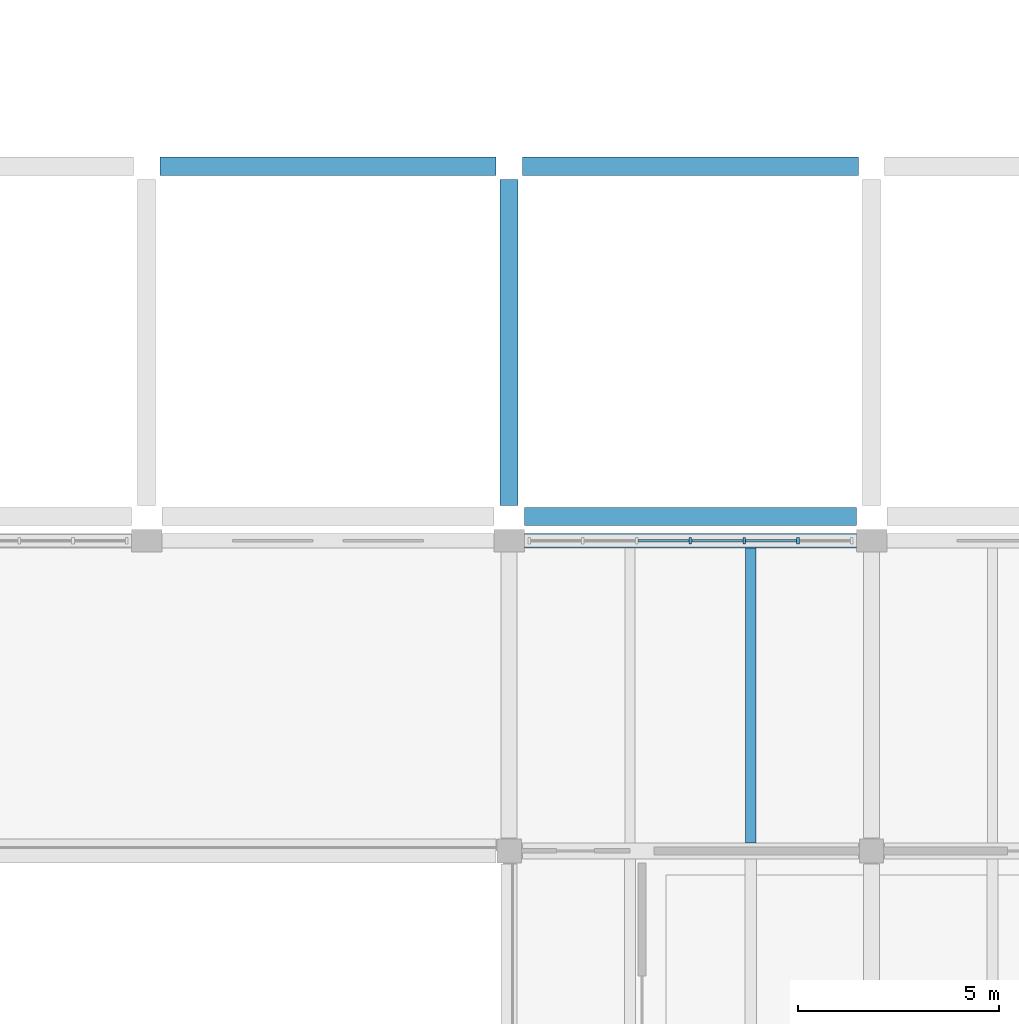
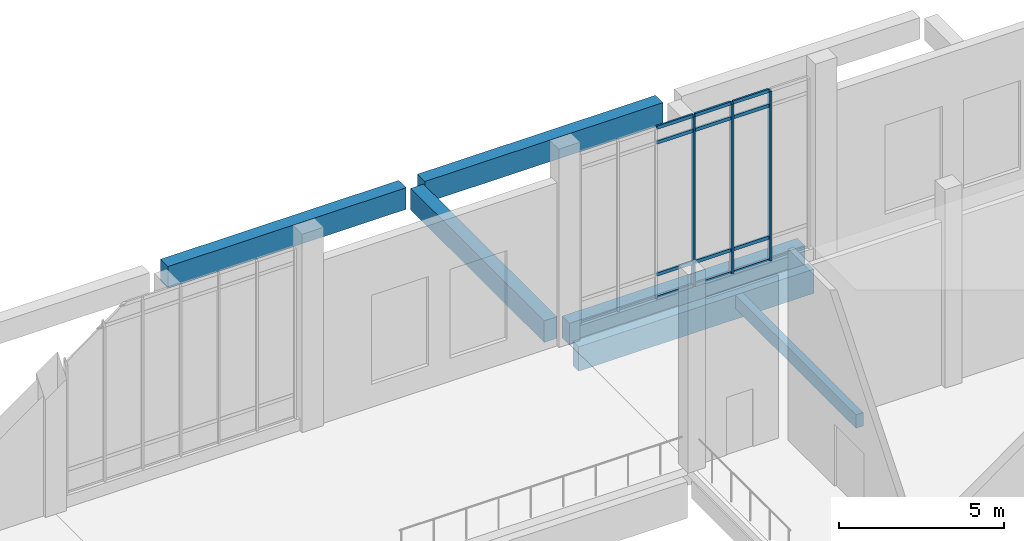
# One storey, part 20 of 110: 15 members, 6 beams, 1 element without a shape of its own.
"""IFC4 building model written with IfcOpenShell, lengths in metres."""

from ifc_helpers import new_model, si_unit, direction, frame, origin, origin_2d, place, context, subcontext, project, spatial, rectangle, extrude, material, layer, layer_set, material_profile, profile_set, type_object, element, aggregate, save


model = new_model("IFC4")

# Units and contexts
model_context = context("Model", 3, precision=1e-05, world=origin(), true_north=direction((0.0, 1.0)))
body_context = subcontext(model_context, "Body", "Model", "MODEL_VIEW")
ifc_project = project(units=[si_unit("LENGTHUNIT", "METRE"), si_unit("AREAUNIT", "SQUARE_METRE"), si_unit("VOLUMEUNIT", "CUBIC_METRE"), si_unit("PLANEANGLEUNIT", "RADIAN"), si_unit("MASSUNIT", "GRAM", prefix="KILO")], contexts=[model_context])

# Site, building, storey
site_placement = place(None, origin())
site = spatial("IfcSite", under=ifc_project, at=site_placement, CompositionType="ELEMENT")
building_placement = place(site_placement, origin())
building = spatial("IfcBuilding", under=site, at=building_placement, Name="Zacnel Wholesale Market", CompositionType="ELEMENT")
storey_placement = place(building_placement, frame((0.0, 0.0, 6.300048828125)))
storey = spatial("IfcBuildingStorey", under=building, at=storey_placement, Name="L02", CompositionType="ELEMENT", Elevation=6.300048828125)

# Beams
ifc_material_1 = material(Name="Precast concrete C45/55", Category="concrete")
ifc_material_profile_1 = material_profile(ifc_material_1, rectangle(XDim=0.449951171875, YDim=0.800048828125, at=origin_2d()), Name="PG 450x800")
ifc_profile_set_1 = profile_set([ifc_material_profile_1], Name="Precast concrete C45/55")
beam_type_1 = type_object("IfcBeamType", Name="BM-PG800", PredefinedType="BEAM", material=ifc_profile_set_1)
beam_1_placement = place(storey_placement, frame((117.375, 48.300048828125, -0.16015625), z_axis=(1.0, 0.0, 0.0), x_axis=(0.0, 1.0, 0.0)))
element("IfcBeam", 1, at=beam_1_placement, inside=storey, type_object=beam_type_1, Name="Precast girder X-0149", PredefinedType="BEAM", context=body_context, shape_type="SweptSolid", body=[
    extrude(rectangle(XDim=0.449951171875, YDim=0.800048828125, at=origin_2d()), origin(), (0.0, 0.0, 1.0), 8.25),
])
for number, where, z_axis, x_axis, name in (
    (2, (108.324951171875, 57.0, -0.16015625), (1.0, 0.0, 0.0), (0.0, 1.0, 0.0), "Precast girder X-0166"),
    (3, (117.324951171875, 57.0, -0.16015625), (1.0, 0.0, 0.0), (0.0, 1.0, 0.0), "Precast girder X-0167"),
):
    element("IfcBeam", number, at=place(storey_placement, frame(where, z_axis=z_axis, x_axis=x_axis)), inside=storey, type_object=beam_type_1, Name=name, PredefinedType="BEAM", context=body_context, shape_type="SweptSolid", body=[
        extrude(rectangle(XDim=0.449951171875, YDim=0.800048828125, at=origin_2d()), origin(), (0.0, 0.0, 1.0), 8.35009765625),
    ])
beam_2_placement = place(storey_placement, frame((117.0, 48.574951171875, -0.16015625), z_axis=(0.0, 1.0, 0.0), x_axis=(-1.0, 0.0, 0.0)))
element("IfcBeam", 4, at=beam_2_placement, inside=storey, type_object=beam_type_1, Name="Precast girder Y-0451", PredefinedType="BEAM", context=body_context, shape_type="SweptSolid", body=[
    extrude(rectangle(XDim=0.449951171875, YDim=0.800048828125, at=origin_2d()), origin(), (0.0, 0.0, 1.0), 8.10009765625),
])
ifc_material_2 = material(Name="Precast concrete C45/55", Category="concrete")
ifc_material_profile_2 = material_profile(ifc_material_2, rectangle(XDim=0.260009765625, YDim=0.5, at=origin_2d()), Name="PJ 260x500")
ifc_profile_set_2 = profile_set([ifc_material_profile_2], Name="Precast concrete C45/55")
beam_type_2 = type_object("IfcBeamType", Name="BM-PJ500", PredefinedType="HOLLOWCORE", material=ifc_profile_set_2)
beam_3_placement = place(storey_placement, frame((123.0, 40.199951171875, -0.550048828125), z_axis=(0.0, 1.0, 0.0), x_axis=(-1.0, 0.0, 0.0)))
element("IfcBeam", 5, at=beam_3_placement, inside=storey, type_object=beam_type_2, Name="Precast secondary joist L02-0166", PredefinedType="HOLLOWCORE", context=body_context, shape_type="SweptSolid", body=[
    extrude(rectangle(XDim=0.260009765625, YDim=0.5, at=origin_2d()), origin(), (0.0, 0.0, 1.0), 7.324951171875),
])
ifc_material_3 = material(Name="Precast concrete C45/55", Category="concrete")
ifc_material_profile_3 = material_profile(ifc_material_3, rectangle(XDim=0.35009765625, YDim=0.89990234375, at=origin_2d()), Name="SP 350x900")
ifc_profile_set_3 = profile_set([ifc_material_profile_3], Name="Precast concrete C45/55")
beam_type_3 = type_object("IfcBeamType", Name="BM-SP900", PredefinedType="SPANDREL", material=ifc_profile_set_3)
beam_4_placement = place(storey_placement, frame((117.375, 47.699951171875, -0.75), z_axis=(1.0, 0.0, 0.0), x_axis=(0.0, 1.0, 0.0)))
element("IfcBeam", 6, at=beam_4_placement, inside=storey, type_object=beam_type_3, Name="Precast girder X-0127", PredefinedType="SPANDREL", context=body_context, shape_type="SweptSolid", body=[
    extrude(rectangle(XDim=0.35009765625, YDim=0.89990234375, at=origin_2d()), origin(), (0.0, 0.0, 1.0), 8.25),
])

# Curtain wall, members
ifc_material_4 = material(Name="Anodised aluminium", Category="aluminium")
ifc_layer = layer(ifc_material_4, 0.179931640625)
ifc_layer_set = layer_set([ifc_layer], Name="Anodised aluminium")
curtain_wall_type = type_object("IfcCurtainWallType", Name="CW-AUCT-5800", PredefinedType="NOTDEFINED", material=ifc_layer_set)
curtain_wall_placement = place(storey_placement, origin())
curtain_wall = element("IfcCurtainWall", 7, at=curtain_wall_placement, inside=storey, type_object=curtain_wall_type, Name="Curtain wall ENV-R2-CW-L02-012", PredefinedType="NOTDEFINED")
ifc_material_5 = material(Name="Anodised aluminium", Category="aluminium")
ifc_material_profile_4 = material_profile(ifc_material_5, rectangle(XDim=0.06494140625, YDim=0.1650390625, at=origin_2d()), Name="AW-MULLION 65x165")
ifc_profile_set_4 = profile_set([ifc_material_profile_4], Name="Anodised aluminium")
member_type_1 = type_object("IfcMemberType", Name="CWM-MUL-04", PredefinedType="MULLION", material=ifc_profile_set_4)
member_1_placement = place(storey_placement, frame((121.5, 47.699951171875, 0.449951171875), z_axis=(0.0, 0.0, 1.0), x_axis=(1.0, 0.0, 0.0)))
member_1 = element("IfcMember", 8, at=member_1_placement, type_object=member_type_1, Name="ENV-R2-CW-L02-012 mullion 04", PredefinedType="MULLION", context=body_context, shape_type="SweptSolid", body=[
    extrude(rectangle(XDim=0.06494140625, YDim=0.1650390625, at=origin_2d()), origin(), (0.0, 0.0, 1.0), 6.2900390625),
])
member_2_placement = place(storey_placement, frame((122.8349609375, 47.699951171875, 0.449951171875), z_axis=(0.0, 0.0, 1.0), x_axis=(1.0, 0.0, 0.0)))
member_2 = element("IfcMember", 9, at=member_2_placement, type_object=member_type_1, Name="ENV-R2-CW-L02-012 mullion 05", PredefinedType="MULLION", context=body_context, shape_type="SweptSolid", body=[
    extrude(rectangle(XDim=0.06494140625, YDim=0.1650390625, at=origin_2d()), origin(), (0.0, 0.0, 1.0), 6.2900390625),
])
member_3_placement = place(storey_placement, frame((124.169921875, 47.699951171875, 0.449951171875), z_axis=(0.0, 0.0, 1.0), x_axis=(1.0, 0.0, 0.0)))
member_3 = element("IfcMember", 10, at=member_3_placement, type_object=member_type_1, Name="ENV-R2-CW-L02-012 mullion 06", PredefinedType="MULLION", context=body_context, shape_type="SweptSolid", body=[
    extrude(rectangle(XDim=0.06494140625, YDim=0.1650390625, at=origin_2d()), origin(), (0.0, 0.0, 1.0), 6.2900390625),
])
ifc_material_6 = material(Name="Anodised aluminium", Category="aluminium")
ifc_material_profile_5 = material_profile(ifc_material_6, rectangle(XDim=0.06494140625, YDim=0.125, at=origin_2d()), Name="AW-TRANSOM 65x125")
ifc_profile_set_5 = profile_set([ifc_material_profile_5], Name="Anodised aluminium")
member_type_2 = type_object("IfcMemberType", Name="CWM-TRN-04", PredefinedType="USERDEFINED", material=ifc_profile_set_5)
member_4_placement = place(storey_placement, frame((120.199951171875, 47.699951171875, 0.449951171875), z_axis=(1.0, 0.0, 0.0), x_axis=(0.0, 1.0, 0.0)))
member_4 = element("IfcMember", 11, at=member_4_placement, type_object=member_type_2, Name="ENV-R2-CW-L02-012 transom 3-1", ObjectType="TRANSOM", PredefinedType="USERDEFINED", context=body_context, shape_type="SweptSolid", body=[
    extrude(rectangle(XDim=0.06494140625, YDim=0.125, at=origin_2d()), origin(), (0.0, 0.0, 1.0), 1.26513671875),
])
member_5_placement = place(storey_placement, frame((120.199951171875, 47.699951171875, 1.300048828125), z_axis=(1.0, 0.0, 0.0), x_axis=(0.0, 1.0, 0.0)))
member_5 = element("IfcMember", 12, at=member_5_placement, type_object=member_type_2, Name="ENV-R2-CW-L02-012 transom 3-2", ObjectType="TRANSOM", PredefinedType="USERDEFINED", context=body_context, shape_type="SweptSolid", body=[
    extrude(rectangle(XDim=0.06494140625, YDim=0.125, at=origin_2d()), origin(), (0.0, 0.0, 1.0), 1.26513671875),
])
member_6_placement = place(storey_placement, frame((120.199951171875, 47.699951171875, 6.18994140625), z_axis=(1.0, 0.0, 0.0), x_axis=(0.0, 1.0, 0.0)))
member_6 = element("IfcMember", 13, at=member_6_placement, type_object=member_type_2, Name="ENV-R2-CW-L02-012 transom 3-3", ObjectType="TRANSOM", PredefinedType="USERDEFINED", context=body_context, shape_type="SweptSolid", body=[
    extrude(rectangle(XDim=0.06494140625, YDim=0.125, at=origin_2d()), origin(), (0.0, 0.0, 1.0), 1.26513671875),
])
member_7_placement = place(storey_placement, frame((120.199951171875, 47.699951171875, 6.739990234375), z_axis=(1.0, 0.0, 0.0), x_axis=(0.0, 1.0, 0.0)))
member_7 = element("IfcMember", 14, at=member_7_placement, type_object=member_type_2, Name="ENV-R2-CW-L02-012 transom 3-4", ObjectType="TRANSOM", PredefinedType="USERDEFINED", context=body_context, shape_type="SweptSolid", body=[
    extrude(rectangle(XDim=0.06494140625, YDim=0.125, at=origin_2d()), origin(), (0.0, 0.0, 1.0), 1.26513671875),
])
member_8_placement = place(storey_placement, frame((121.534912109375, 47.699951171875, 0.449951171875), z_axis=(1.0, 0.0, 0.0), x_axis=(0.0, 1.0, 0.0)))
member_8 = element("IfcMember", 15, at=member_8_placement, type_object=member_type_2, Name="ENV-R2-CW-L02-012 transom 4-1", ObjectType="TRANSOM", PredefinedType="USERDEFINED", context=body_context, shape_type="SweptSolid", body=[
    extrude(rectangle(XDim=0.06494140625, YDim=0.125, at=origin_2d()), origin(), (0.0, 0.0, 1.0), 1.26513671875),
])
member_9_placement = place(storey_placement, frame((121.534912109375, 47.699951171875, 1.300048828125), z_axis=(1.0, 0.0, 0.0), x_axis=(0.0, 1.0, 0.0)))
member_9 = element("IfcMember", 16, at=member_9_placement, type_object=member_type_2, Name="ENV-R2-CW-L02-012 transom 4-2", ObjectType="TRANSOM", PredefinedType="USERDEFINED", context=body_context, shape_type="SweptSolid", body=[
    extrude(rectangle(XDim=0.06494140625, YDim=0.125, at=origin_2d()), origin(), (0.0, 0.0, 1.0), 1.26513671875),
])
member_10_placement = place(storey_placement, frame((121.534912109375, 47.699951171875, 6.18994140625), z_axis=(1.0, 0.0, 0.0), x_axis=(0.0, 1.0, 0.0)))
member_10 = element("IfcMember", 17, at=member_10_placement, type_object=member_type_2, Name="ENV-R2-CW-L02-012 transom 4-3", ObjectType="TRANSOM", PredefinedType="USERDEFINED", context=body_context, shape_type="SweptSolid", body=[
    extrude(rectangle(XDim=0.06494140625, YDim=0.125, at=origin_2d()), origin(), (0.0, 0.0, 1.0), 1.26513671875),
])
member_11_placement = place(storey_placement, frame((121.534912109375, 47.699951171875, 6.739990234375), z_axis=(1.0, 0.0, 0.0), x_axis=(0.0, 1.0, 0.0)))
member_11 = element("IfcMember", 18, at=member_11_placement, type_object=member_type_2, Name="ENV-R2-CW-L02-012 transom 4-4", ObjectType="TRANSOM", PredefinedType="USERDEFINED", context=body_context, shape_type="SweptSolid", body=[
    extrude(rectangle(XDim=0.06494140625, YDim=0.125, at=origin_2d()), origin(), (0.0, 0.0, 1.0), 1.26513671875),
])
member_12_placement = place(storey_placement, frame((122.8701171875, 47.699951171875, 0.449951171875), z_axis=(1.0, 0.0, 0.0), x_axis=(0.0, 1.0, 0.0)))
member_12 = element("IfcMember", 19, at=member_12_placement, type_object=member_type_2, Name="ENV-R2-CW-L02-012 transom 5-1", ObjectType="TRANSOM", PredefinedType="USERDEFINED", context=body_context, shape_type="SweptSolid", body=[
    extrude(rectangle(XDim=0.06494140625, YDim=0.125, at=origin_2d()), origin(), (0.0, 0.0, 1.0), 1.264892578125),
])
member_13_placement = place(storey_placement, frame((122.8701171875, 47.699951171875, 1.300048828125), z_axis=(1.0, 0.0, 0.0), x_axis=(0.0, 1.0, 0.0)))
member_13 = element("IfcMember", 20, at=member_13_placement, type_object=member_type_2, Name="ENV-R2-CW-L02-012 transom 5-2", ObjectType="TRANSOM", PredefinedType="USERDEFINED", context=body_context, shape_type="SweptSolid", body=[
    extrude(rectangle(XDim=0.06494140625, YDim=0.125, at=origin_2d()), origin(), (0.0, 0.0, 1.0), 1.264892578125),
])
member_14_placement = place(storey_placement, frame((122.8701171875, 47.699951171875, 6.18994140625), z_axis=(1.0, 0.0, 0.0), x_axis=(0.0, 1.0, 0.0)))
member_14 = element("IfcMember", 21, at=member_14_placement, type_object=member_type_2, Name="ENV-R2-CW-L02-012 transom 5-3", ObjectType="TRANSOM", PredefinedType="USERDEFINED", context=body_context, shape_type="SweptSolid", body=[
    extrude(rectangle(XDim=0.06494140625, YDim=0.125, at=origin_2d()), origin(), (0.0, 0.0, 1.0), 1.264892578125),
])
member_15_placement = place(storey_placement, frame((122.8701171875, 47.699951171875, 6.739990234375), z_axis=(1.0, 0.0, 0.0), x_axis=(0.0, 1.0, 0.0)))
member_15 = element("IfcMember", 22, at=member_15_placement, type_object=member_type_2, Name="ENV-R2-CW-L02-012 transom 5-4", ObjectType="TRANSOM", PredefinedType="USERDEFINED", context=body_context, shape_type="SweptSolid", body=[
    extrude(rectangle(XDim=0.06494140625, YDim=0.125, at=origin_2d()), origin(), (0.0, 0.0, 1.0), 1.264892578125),
])
aggregate(curtain_wall, [member_1, member_2, member_3, member_4, member_5, member_6, member_7, member_8, member_9, member_10, member_11, member_12, member_13, member_14, member_15])

save(model, "model.ifc")
